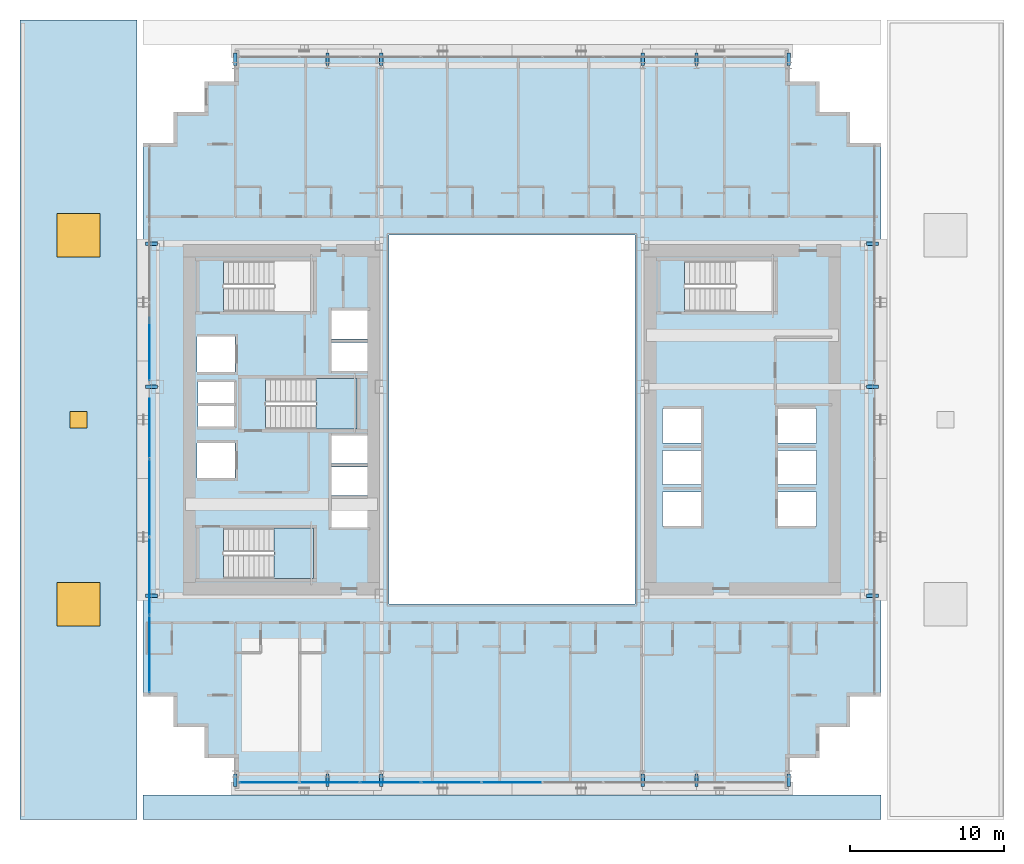
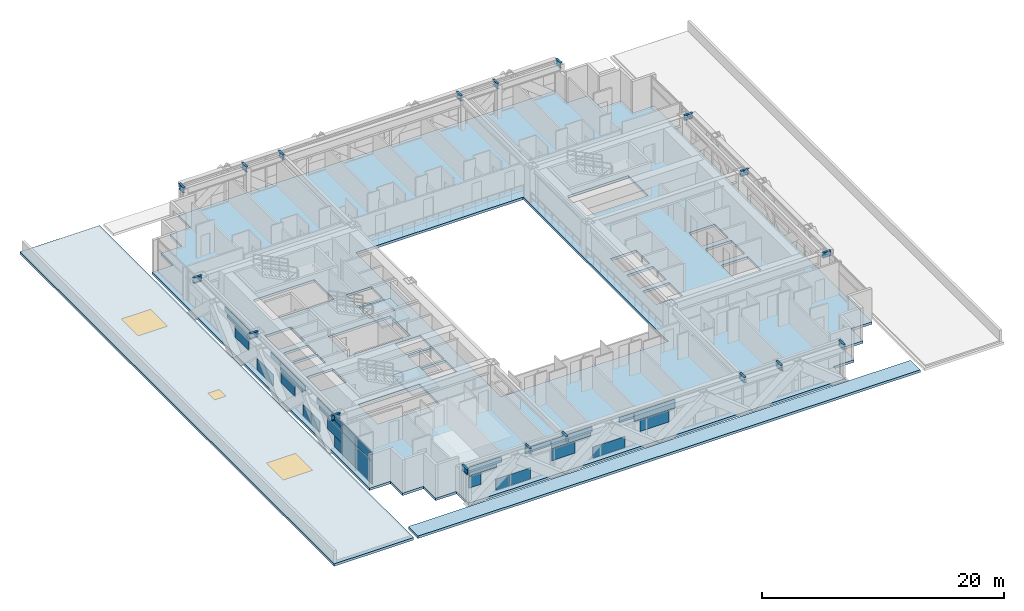
# One storey, part 21 of 35: 29 plates, 18 beams, 5 slabs, 2 windows, 1 door, 3 openings, 4 elements without a shape of their own.
"""IFC4 building model written with IfcOpenShell, lengths in metres."""

from ifc_helpers import new_model, si_unit, direction, frame, origin, origin_2d, place, context, subcontext, project, spatial, polyline, rectangle, i_section, outline, extrude, source, transform, mapped, material, layer, layer_set, material_profile, profile_set, type_object, element, fill, aggregate, save


model = new_model("IFC4")

# Units and contexts
model_context = context("Model", 3, precision=1e-05, world=origin(), true_north=direction((0.0, 1.0)))
body_context = subcontext(model_context, "Body", "Model", "MODEL_VIEW")
ifc_project = project(units=[si_unit("LENGTHUNIT", "METRE"), si_unit("AREAUNIT", "SQUARE_METRE"), si_unit("VOLUMEUNIT", "CUBIC_METRE"), si_unit("PLANEANGLEUNIT", "RADIAN"), si_unit("MASSUNIT", "GRAM", prefix="KILO")], contexts=[model_context])

# Site, building, storey
site_placement = place(None, origin())
site = spatial("IfcSite", under=ifc_project, at=site_placement, CompositionType="ELEMENT")
building_placement = place(site_placement, origin())
building = spatial("IfcBuilding", under=site, at=building_placement, Name="Ocotamira Hotel", CompositionType="ELEMENT")
storey_placement = place(building_placement, frame((0.0, 0.0, 34.800048828125)))
storey = spatial("IfcBuildingStorey", under=building, at=storey_placement, Name="L07", CompositionType="ELEMENT", Elevation=34.800048828125)

# Beams
ifc_material_1 = material(Name="Steel ASTM A992 Grade 50", Category="steel")
ifc_material_profile = material_profile(ifc_material_1, i_section(OverallWidth=0.2099609375, OverallDepth=0.537109375, WebThickness=0.010986328125, FlangeThickness=0.017333984375, FilletRadius=0.012939453125, at=origin_2d()), Name="W21X68")
ifc_profile_set = profile_set([ifc_material_profile], Name="Steel ASTM A992 Grade 50")
beam_type = type_object("IfcBeamType", Name="BM-SEC-W21X68", PredefinedType="JOIST", material=ifc_profile_set)
shared_shape_1 = source(origin(), body_context, "Body", "SweptSolid", [
    extrude(i_section(OverallWidth=0.2099609375, OverallDepth=0.537109375, WebThickness=0.010986328125, FlangeThickness=0.017333984375, FilletRadius=0.012939453125, at=origin_2d()), origin(), (0.0, 0.0, 1.0), 0.800048828125),
])
for number, where, z_axis, x_axis, name in (
    (1, (14.0, 2.949951171875, 3.08154296875), (0.0, -1.0, 0.0), (1.0, 0.0, 0.0), "L07 South Edge Header X14"),
    (2, (14.0, 49.050048828125, 3.08154296875), (0.0, 1.0, 0.0), (-1.0, 0.0, 0.0), "L07 North Edge Header X14"),
    (3, (20.0, 2.949951171875, 3.08154296875), (0.0, -1.0, 0.0), (1.0, 0.0, 0.0), "L07 South Edge Header X20"),
    (4, (20.0, 49.050048828125, 3.08154296875), (0.0, 1.0, 0.0), (-1.0, 0.0, 0.0), "L07 North Edge Header X20"),
    (5, (23.5, 2.949951171875, 3.08154296875), (0.0, -1.0, 0.0), (1.0, 0.0, 0.0), "L07 South Edge Header X23.5"),
    (6, (23.5, 49.050048828125, 3.08154296875), (0.0, 1.0, 0.0), (-1.0, 0.0, 0.0), "L07 North Edge Header X23.5"),
    (7, (40.5, 2.949951171875, 3.08154296875), (0.0, -1.0, 0.0), (1.0, 0.0, 0.0), "L07 South Edge Header X40.5"),
    (8, (40.5, 49.050048828125, 3.08154296875), (0.0, 1.0, 0.0), (-1.0, 0.0, 0.0), "L07 North Edge Header X40.5"),
    (9, (44.0, 2.949951171875, 3.08154296875), (0.0, -1.0, 0.0), (1.0, 0.0, 0.0), "L07 South Edge Header X44"),
    (10, (44.0, 49.050048828125, 3.08154296875), (0.0, 1.0, 0.0), (-1.0, 0.0, 0.0), "L07 North Edge Header X44"),
    (11, (50.0, 2.949951171875, 3.08154296875), (0.0, -1.0, 0.0), (1.0, 0.0, 0.0), "L07 South Edge Header X50"),
    (12, (50.0, 49.050048828125, 3.08154296875), (0.0, 1.0, 0.0), (-1.0, 0.0, 0.0), "L07 North Edge Header X50"),
    (13, (8.949951171875, 14.550048828125, 3.08154296875), (-1.0, 0.0, 0.0), (0.0, -1.0, 0.0), "L07 West Edge Header Y14.55"),
    (14, (55.050048828125, 14.550048828125, 3.08154296875), (1.0, 0.0, 0.0), (0.0, 1.0, 0.0), "L07 East Edge Header Y14.55"),
    (15, (8.949951171875, 28.14990234375, 3.08154296875), (-1.0, 0.0, 0.0), (0.0, -1.0, 0.0), "L07 West Edge Header Y28.15"),
    (16, (55.050048828125, 28.14990234375, 3.08154296875), (1.0, 0.0, 0.0), (0.0, 1.0, 0.0), "L07 East Edge Header Y28.15"),
    (17, (8.949951171875, 37.449951171875, 3.08154296875), (-1.0, 0.0, 0.0), (0.0, -1.0, 0.0), "L07 West Edge Header Y37.45"),
    (18, (55.050048828125, 37.449951171875, 3.08154296875), (1.0, 0.0, 0.0), (0.0, 1.0, 0.0), "L07 East Edge Header Y37.45"),
):
    element("IfcBeam", number, at=place(storey_placement, frame(where, z_axis=z_axis, x_axis=x_axis)), inside=storey, type_object=beam_type, Name=name, PredefinedType="JOIST", context=body_context, shape_type="MappedRepresentation", body=[
        mapped(shared_shape_1, transform((0.0, 0.0, 0.0), scale=1.0)),
    ])

# Stair, slab
ifc_material_2 = material(Name="Concrete C40/50", Category="concrete")
stair_type = type_object("IfcStairType", Name="ST-CORE-1560", PredefinedType="HALF_TURN_STAIR", material=ifc_material_2)
stair_1_placement = place(storey_placement, origin())
stair_1 = element("IfcStair", 19, at=stair_1_placement, inside=storey, type_object=stair_type, Name="L07 Exit Stair ST-1", PredefinedType="HALF_TURN_STAIR")
ifc_layer_1 = layer(ifc_material_2, 0.199951171875)
ifc_layer_set_1 = layer_set([ifc_layer_1], Name="Concrete C40/50")
slab_type_1 = type_object("IfcSlabType", Name="SLB-LAND-200", PredefinedType="LANDING", material=ifc_layer_set_1)
slab_1_placement = place(storey_placement, frame((0.0, 0.0, 1.599853515625)))
slab_1 = element("IfcSlab", 20, at=slab_1_placement, type_object=slab_type_1, Name="ST-1 landing 1", PredefinedType="LANDING", context=body_context, shape_type="SweptSolid", body=[
    extrude(outline(polyline([(16.530029296875, 15.669921875), (19.090087890625, 15.669921875), (19.090087890625, 18.949951171875), (16.530029296875, 18.949951171875), (16.530029296875, 15.669921875)])), origin(), (0.0, 0.0, 1.0), 0.2001953125),
])
aggregate(stair_1, [slab_1])

stair_2_placement = place(storey_placement, origin())
stair_2 = element("IfcStair", 21, at=stair_2_placement, inside=storey, type_object=stair_type, Name="L07 Exit Stair ST-3", PredefinedType="HALF_TURN_STAIR")
slab_2_placement = place(storey_placement, frame((0.0, 0.0, 1.599853515625)))
slab_2 = element("IfcSlab", 22, at=slab_2_placement, type_object=slab_type_1, Name="ST-3 landing 1", PredefinedType="LANDING", context=body_context, shape_type="SweptSolid", body=[
    extrude(outline(polyline([(19.260009765625, 25.39990234375), (21.919921875, 25.39990234375), (21.919921875, 28.679931640625), (19.260009765625, 28.679931640625), (19.260009765625, 25.39990234375)])), origin(), (0.0, 0.0, 1.0), 0.2001953125),
])
aggregate(stair_2, [slab_2])

# Slab, openings, door, windows
ifc_layer_2 = layer(ifc_material_2, 0.25)
ifc_layer_set_2 = layer_set([ifc_layer_2], Name="Concrete C40/50")
slab_type_2 = type_object("IfcSlabType", Name="SLB-ROOF-250", PredefinedType="ROOF", material=ifc_layer_set_2)
slab_3_placement = place(storey_placement, frame((0.0, 0.0, -0.25)))
slab_3 = element("IfcSlab", 23, at=slab_3_placement, inside=storey, type_object=slab_type_2, Name="L07 Podium Setback Roof POD-W", PredefinedType="ROOF", context=body_context, shape_type="SweptSolid", body=[
    extrude(outline(polyline([(0.0, 0.0), (7.60009765625, 0.0), (7.60009765625, 52.0), (0.0, 52.0), (0.0, 0.0)])), origin(), (0.0, 0.0, 1.0), 0.25),
])
opening_1_placement = place(slab_3_placement, frame((3.800048828125, 14.0, 0.0)))
opening_1 = element("IfcOpeningElement", 24, at=opening_1_placement, cuts=slab_3, Name="Opening SK-2", PredefinedType="OPENING", context=body_context, shape_type="SweptSolid", body=[
    extrude(rectangle(XDim=2.800048828125, YDim=2.800048828125, at=origin_2d()), frame((0.0, 0.0, -0.010009765625)), (0.0, 0.0, 1.0), 0.27001953125),
])
opening_2_placement = place(slab_3_placement, frame((3.800048828125, 38.0, 0.0)))
opening_2 = element("IfcOpeningElement", 25, at=opening_2_placement, cuts=slab_3, Name="Opening SK-2", PredefinedType="OPENING", context=body_context, shape_type="SweptSolid", body=[
    extrude(rectangle(XDim=2.800048828125, YDim=2.800048828125, at=origin_2d()), frame((0.0, 0.0, -0.010009765625)), (0.0, 0.0, 1.0), 0.27001953125),
])
opening_3_placement = place(slab_3_placement, frame((3.800048828125, 26.0, 0.0)))
opening_3 = element("IfcOpeningElement", 26, at=opening_3_placement, cuts=slab_3, Name="Opening RH-1", PredefinedType="OPENING", context=body_context, shape_type="SweptSolid", body=[
    extrude(rectangle(XDim=1.10009765625, YDim=1.10009765625, at=origin_2d()), frame((0.0, 0.0, -0.010009765625)), (0.0, 0.0, 1.0), 0.27001953125),
])
ifc_material_3 = material(Name="Insulated aluminium roof access hatch", Category="aluminium")
door_type = type_object("IfcDoorType", Name="DR-HATCH-1100", OperationType="NOTDEFINED", PredefinedType="TRAPDOOR", material=ifc_material_3)
door_placement = place(opening_3_placement, frame((0.0, 0.0, 0.199951171875)))
door = element("IfcDoor", 27, at=door_placement, inside=storey, type_object=door_type, Name="L07 Maintenance Roof Hatch PODW [RH-L07-PODW]", OperationType="SINGLE_SWING_LEFT", OverallHeight=1.10009765625, OverallWidth=1.10009765625, PredefinedType="TRAPDOOR", context=body_context, shape_type="SweptSolid", body=[
    extrude(rectangle(XDim=1.10009765625, YDim=1.10009765625, at=origin_2d()), origin(), (0.0, 0.0, 1.0), 0.050048828125),
])
fill(opening_3, door)
ifc_material_4 = material(Name="Laminated structural skylight glass", Category="glass")
window_type = type_object("IfcWindowType", Name="WIN-SKY-2800", PartitioningType="SINGLE_PANEL", PredefinedType="SKYLIGHT", material=ifc_material_4)
window_1_placement = place(opening_1_placement, frame((0.0, 0.0, 0.199951171875)))
window_1 = element("IfcWindow", 28, at=window_1_placement, inside=storey, type_object=window_type, Name="Podium Roof Skylight 1", OverallHeight=2.800048828125, OverallWidth=2.800048828125, PartitioningType="SINGLE_PANEL", PredefinedType="SKYLIGHT", context=body_context, shape_type="SweptSolid", body=[
    extrude(rectangle(XDim=2.800048828125, YDim=2.800048828125, at=origin_2d()), origin(), (0.0, 0.0, 1.0), 0.050048828125),
])
fill(opening_1, window_1)
window_2_placement = place(opening_2_placement, frame((0.0, 0.0, 0.199951171875)))
window_2 = element("IfcWindow", 29, at=window_2_placement, inside=storey, type_object=window_type, Name="Podium Roof Skylight 2", OverallHeight=2.800048828125, OverallWidth=2.800048828125, PartitioningType="SINGLE_PANEL", PredefinedType="SKYLIGHT", context=body_context, shape_type="SweptSolid", body=[
    extrude(rectangle(XDim=2.800048828125, YDim=2.800048828125, at=origin_2d()), origin(), (0.0, 0.0, 1.0), 0.050048828125),
])
fill(opening_2, window_2)

# Slabs
slab_4_placement = place(storey_placement, frame((0.0, 0.0, -0.25)))
element("IfcSlab", 30, at=slab_4_placement, inside=storey, type_object=slab_type_2, Name="L07 Podium Setback Roof POD-S", PredefinedType="ROOF", context=body_context, shape_type="SweptSolid", body=[
    extrude(outline(polyline([(8.0, 0.0), (56.0, 0.0), (56.0, 1.60009765625), (8.0, 1.60009765625), (8.0, 0.0)])), origin(), (0.0, 0.0, 1.0), 0.25),
])
ifc_layer_3 = layer(ifc_material_2, 0.25)
ifc_layer_set_3 = layer_set([ifc_layer_3], Name="Concrete C40/50")
slab_type_3 = type_object("IfcSlabType", Name="SLB-Z1-250", PredefinedType="FLOOR", material=ifc_layer_set_3)
slab_5_placement = place(storey_placement, frame((0.0, 0.0, -0.25)))
element("IfcSlab", 31, at=slab_5_placement, inside=storey, type_object=slab_type_3, Name="L07 Structural Floor Slab", PredefinedType="FLOOR", context=body_context, shape_type="SweptSolid", body=[
    extrude(outline(polyline([(14.0, 2.0), (50.0, 2.0), (50.0, 4.0), (52.0, 4.0), (52.0, 6.0), (54.0, 6.0), (54.0, 8.0), (56.0, 8.0), (56.0, 44.0), (54.0, 44.0), (54.0, 46.0), (52.0, 46.0), (52.0, 48.0), (50.0, 48.0), (50.0, 50.0), (14.0, 50.0), (14.0, 48.0), (12.0, 48.0), (12.0, 46.0), (10.0, 46.0), (10.0, 44.0), (8.0, 44.0), (8.0, 8.0), (10.0, 8.0), (10.0, 6.0), (12.0, 6.0), (12.0, 4.0), (14.0, 4.0), (14.0, 2.0)]), holes=[polyline([(24.0, 14.0), (40.0, 14.0), (40.0, 38.0), (24.0, 38.0), (24.0, 14.0)]), polyline([(13.22998046875, 15.669921875), (19.090087890625, 15.669921875), (19.090087890625, 18.949951171875), (13.22998046875, 18.949951171875), (13.22998046875, 15.669921875)]), polyline([(13.22998046875, 33.050048828125), (19.090087890625, 33.050048828125), (19.090087890625, 36.330078125), (13.22998046875, 36.330078125), (13.22998046875, 33.050048828125)]), polyline([(15.9599609375, 25.39990234375), (21.919921875, 25.39990234375), (21.919921875, 28.679931640625), (15.9599609375, 28.679931640625), (15.9599609375, 25.39990234375)]), polyline([(43.22998046875, 33.050048828125), (49.090087890625, 33.050048828125), (49.090087890625, 36.330078125), (43.22998046875, 36.330078125), (43.22998046875, 33.050048828125)]), polyline([(49.300048828125, 19.10009765625), (51.800048828125, 19.10009765625), (51.800048828125, 21.300048828125), (49.300048828125, 21.300048828125), (49.300048828125, 19.10009765625)]), polyline([(49.300048828125, 21.800048828125), (51.800048828125, 21.800048828125), (51.800048828125, 24.0), (49.300048828125, 24.0), (49.300048828125, 21.800048828125)]), polyline([(49.300048828125, 24.5), (51.800048828125, 24.5), (51.800048828125, 26.699951171875), (49.300048828125, 26.699951171875), (49.300048828125, 24.5)]), polyline([(41.800048828125, 19.10009765625), (44.300048828125, 19.10009765625), (44.300048828125, 21.300048828125), (41.800048828125, 21.300048828125), (41.800048828125, 19.10009765625)]), polyline([(41.800048828125, 21.800048828125), (44.300048828125, 21.800048828125), (44.300048828125, 24.0), (41.800048828125, 24.0), (41.800048828125, 21.800048828125)]), polyline([(41.800048828125, 24.5), (44.300048828125, 24.5), (44.300048828125, 26.699951171875), (41.800048828125, 26.699951171875), (41.800048828125, 24.5)]), polyline([(20.25, 19.0), (22.659912109375, 19.0), (22.659912109375, 20.85009765625), (20.25, 20.85009765625), (20.25, 19.0)]), polyline([(20.25, 21.080078125), (22.659912109375, 21.080078125), (22.659912109375, 22.929931640625), (20.25, 22.929931640625), (20.25, 21.080078125)]), polyline([(20.25, 23.159912109375), (22.659912109375, 23.159912109375), (22.659912109375, 24.9599609375), (20.25, 24.9599609375), (20.25, 23.159912109375)]), polyline([(20.25, 29.179931640625), (22.659912109375, 29.179931640625), (22.659912109375, 31.030029296875), (20.25, 31.030029296875), (20.25, 29.179931640625)]), polyline([(20.25, 31.260009765625), (22.659912109375, 31.260009765625), (22.659912109375, 33.110107421875), (20.25, 33.110107421875), (20.25, 31.260009765625)]), polyline([(11.5, 22.199951171875), (14.0, 22.199951171875), (14.0, 24.5), (11.5, 24.5), (11.5, 22.199951171875)]), polyline([(11.5, 29.10009765625), (14.0, 29.10009765625), (14.0, 31.39990234375), (11.5, 31.39990234375), (11.5, 29.10009765625)]), polyline([(11.580078125, 25.550048828125), (13.919921875, 25.550048828125), (13.919921875, 26.89990234375), (11.580078125, 26.89990234375), (11.580078125, 25.550048828125)]), polyline([(11.580078125, 27.10009765625), (13.919921875, 27.10009765625), (13.919921875, 28.449951171875), (11.580078125, 28.449951171875), (11.580078125, 27.10009765625)])]), origin(), (0.0, 0.0, 1.0), 0.25),
])

# Curtain wall, plates
ifc_material_5 = material(Name="Anodised pale-metal aluminium and solar glass", Category="aluminium")
ifc_layer_4 = layer(ifc_material_5, 0.179931640625)
ifc_layer_set_4 = layer_set([ifc_layer_4], Name="Anodised pale-metal aluminium and solar glass")
curtain_wall_type = type_object("IfcCurtainWallType", Name="CW-SYS2-Z1", PredefinedType="NOTDEFINED", material=ifc_layer_set_4)
curtain_wall_1_placement = place(storey_placement, origin())
curtain_wall_1 = element("IfcCurtainWall", 32, at=curtain_wall_1_placement, inside=storey, type_object=curtain_wall_type, Name="L07 Curtain Wall CW-2 CW-L07-S1", PredefinedType="NOTDEFINED")
ifc_material_6 = material(Name="Double-silver low-E insulated solar glass", Category="glass")
ifc_layer_5 = layer(ifc_material_6, 0.031982421875)
ifc_layer_set_5 = layer_set([ifc_layer_5], Name="Double-silver low-E insulated solar glass")
plate_type = type_object("IfcPlateType", Name="CWP-VISION-32", PredefinedType="CURTAIN_PANEL", material=ifc_layer_set_5)
shared_shape_2 = source(origin(), body_context, "Body", "SweptSolid", [
    extrude(rectangle(XDim=1.11669921875, YDim=0.031982421875, at=origin_2d()), origin(), (0.0, 0.0, 1.0), 1.11865234375),
])
plate_1_placement = place(storey_placement, frame((14.83837890625, 2.419921875, 1.193603515625), z_axis=(0.0, 0.0, 1.0), x_axis=(1.0, 0.0, 0.0)))
plate_1 = element("IfcPlate", 33, at=plate_1_placement, type_object=plate_type, Name="CW-2 panel 1.1.1", PredefinedType="CURTAIN_PANEL", context=body_context, shape_type="MappedRepresentation", body=[
    mapped(shared_shape_2, transform((0.0, 0.0, 0.0), scale=1.0)),
])
shared_shape_3 = source(origin(), body_context, "Body", "SweptSolid", [
    extrude(rectangle(XDim=1.278076171875, YDim=0.031982421875, at=origin_2d()), origin(), (0.0, 0.0, 1.0), 1.11865234375),
])
plate_2_placement = place(storey_placement, frame((17.4765625, 2.419921875, 0.074951171875), z_axis=(0.0, 0.0, 1.0), x_axis=(1.0, 0.0, 0.0)))
plate_2 = element("IfcPlate", 34, at=plate_2_placement, type_object=plate_type, Name="CW-2 panel 1.1.2", PredefinedType="CURTAIN_PANEL", context=body_context, shape_type="MappedRepresentation", body=[
    mapped(shared_shape_3, transform((0.0, 0.0, 0.0), scale=1.0)),
])
shared_shape_4 = source(origin(), body_context, "Body", "SweptSolid", [
    extrude(rectangle(XDim=2.60888671875, YDim=0.031982421875, at=origin_2d()), origin(), (0.0, 0.0, 1.0), 0.345458984375),
])
plate_3_placement = place(storey_placement, frame((15.58447265625, 2.419921875, 2.38720703125), z_axis=(0.0, 0.0, 1.0), x_axis=(1.0, 0.0, 0.0)))
plate_3 = element("IfcPlate", 35, at=plate_3_placement, type_object=plate_type, Name="CW-2 panel 1.2.1", PredefinedType="CURTAIN_PANEL", context=body_context, shape_type="MappedRepresentation", body=[
    mapped(shared_shape_4, transform((0.0, 0.0, 0.0), scale=1.0)),
])
shared_shape_5 = source(origin(), body_context, "Body", "SweptSolid", [
    extrude(rectangle(XDim=3.079833984375, YDim=0.031982421875, at=origin_2d()), origin(), (0.0, 0.0, 1.0), 0.5107421875),
])
plate_4_placement = place(storey_placement, frame((15.820068359375, 2.419921875, 2.76416015625), z_axis=(0.0, 0.0, 1.0), x_axis=(1.0, 0.0, 0.0)))
plate_4 = element("IfcPlate", 36, at=plate_4_placement, type_object=plate_type, Name="CW-2 panel 1.2.2", PredefinedType="CURTAIN_PANEL", context=body_context, shape_type="MappedRepresentation", body=[
    mapped(shared_shape_5, transform((0.0, 0.0, 0.0), scale=1.0)),
])
shared_shape_6 = source(origin(), body_context, "Body", "SweptSolid", [
    extrude(rectangle(XDim=1.966796875, YDim=0.031982421875, at=origin_2d()), origin(), (0.0, 0.0, 1.0), 1.11865234375),
])
plate_5_placement = place(storey_placement, frame((19.178955078125, 2.419921875, 0.074951171875), z_axis=(0.0, 0.0, 1.0), x_axis=(1.0, 0.0, 0.0)))
plate_5 = element("IfcPlate", 37, at=plate_5_placement, type_object=plate_type, Name="CW-2 panel 2.1.1", PredefinedType="CURTAIN_PANEL", context=body_context, shape_type="MappedRepresentation", body=[
    mapped(shared_shape_6, transform((0.0, 0.0, 0.0), scale=1.0)),
])
shared_shape_7 = source(origin(), body_context, "Body", "SweptSolid", [
    extrude(rectangle(XDim=2.430908203125, YDim=0.031982421875, at=origin_2d()), origin(), (0.0, 0.0, 1.0), 0.5107421875),
])
plate_6_placement = place(storey_placement, frame((20.855712890625, 2.419921875, 2.76416015625), z_axis=(0.0, 0.0, 1.0), x_axis=(1.0, 0.0, 0.0)))
plate_6 = element("IfcPlate", 38, at=plate_6_placement, type_object=plate_type, Name="CW-2 panel 2.2.1", PredefinedType="CURTAIN_PANEL", context=body_context, shape_type="MappedRepresentation", body=[
    mapped(shared_shape_7, transform((0.0, 0.0, 0.0), scale=1.0)),
])
shared_shape_8 = source(origin(), body_context, "Body", "SweptSolid", [
    extrude(rectangle(XDim=2.24560546875, YDim=0.031982421875, at=origin_2d()), origin(), (0.0, 0.0, 1.0), 1.11865234375),
])
plate_7_placement = place(storey_placement, frame((23.27392578125, 2.419921875, 1.193603515625), z_axis=(0.0, 0.0, 1.0), x_axis=(1.0, 0.0, 0.0)))
plate_7 = element("IfcPlate", 39, at=plate_7_placement, type_object=plate_type, Name="CW-2 panel 3.1.1", PredefinedType="CURTAIN_PANEL", context=body_context, shape_type="MappedRepresentation", body=[
    mapped(shared_shape_8, transform((0.0, 0.0, 0.0), scale=1.0)),
])
shared_shape_9 = source(origin(), body_context, "Body", "SweptSolid", [
    extrude(rectangle(XDim=3.73779296875, YDim=0.031982421875, at=origin_2d()), origin(), (0.0, 0.0, 1.0), 0.376708984375),
])
plate_8_placement = place(storey_placement, frame((24.02001953125, 2.419921875, 2.3876953125), z_axis=(0.0, 0.0, 1.0), x_axis=(1.0, 0.0, 0.0)))
plate_8 = element("IfcPlate", 40, at=plate_8_placement, type_object=plate_type, Name="CW-2 panel 3.2.1", PredefinedType="CURTAIN_PANEL", context=body_context, shape_type="MappedRepresentation", body=[
    mapped(shared_shape_9, transform((0.0, 0.0, 0.0), scale=1.0)),
])
shared_shape_10 = source(origin(), body_context, "Body", "SweptSolid", [
    extrude(rectangle(XDim=3.87548828125, YDim=0.031982421875, at=origin_2d()), origin(), (0.0, 0.0, 1.0), 0.5107421875),
])
plate_9_placement = place(storey_placement, frame((24.0888671875, 2.419921875, 2.76416015625), z_axis=(0.0, 0.0, 1.0), x_axis=(1.0, 0.0, 0.0)))
plate_9 = element("IfcPlate", 41, at=plate_9_placement, type_object=plate_type, Name="CW-2 panel 3.2.2", PredefinedType="CURTAIN_PANEL", context=body_context, shape_type="MappedRepresentation", body=[
    mapped(shared_shape_10, transform((0.0, 0.0, 0.0), scale=1.0)),
])
shared_shape_11 = source(origin(), body_context, "Body", "SweptSolid", [
    extrude(rectangle(XDim=3.055908203125, YDim=0.031982421875, at=origin_2d()), origin(), (0.0, 0.0, 1.0), 1.11865234375),
])
plate_10_placement = place(storey_placement, frame((27.634521484375, 2.419921875, 0.074951171875), z_axis=(0.0, 0.0, 1.0), x_axis=(1.0, 0.0, 0.0)))
plate_10 = element("IfcPlate", 42, at=plate_10_placement, type_object=plate_type, Name="CW-2 panel 4.1.1", PredefinedType="CURTAIN_PANEL", context=body_context, shape_type="MappedRepresentation", body=[
    mapped(shared_shape_11, transform((0.0, 0.0, 0.0), scale=1.0)),
])
shared_shape_12 = source(origin(), body_context, "Body", "SweptSolid", [
    extrude(rectangle(XDim=1.34228515625, YDim=0.031982421875, at=origin_2d()), origin(), (0.0, 0.0, 1.0), 0.5107421875),
])
plate_11_placement = place(storey_placement, frame((29.31103515625, 2.419921875, 2.76416015625), z_axis=(0.0, 0.0, 1.0), x_axis=(1.0, 0.0, 0.0)))
plate_11 = element("IfcPlate", 43, at=plate_11_placement, type_object=plate_type, Name="CW-2 panel 4.2.1", PredefinedType="CURTAIN_PANEL", context=body_context, shape_type="MappedRepresentation", body=[
    mapped(shared_shape_12, transform((0.0, 0.0, 0.0), scale=1.0)),
])
shared_shape_13 = source(origin(), body_context, "Body", "SweptSolid", [
    extrude(rectangle(XDim=2.793701171875, YDim=0.031982421875, at=origin_2d()), origin(), (0.0, 0.0, 1.0), 1.11865234375),
])
plate_12_placement = place(storey_placement, frame((32.0, 2.419921875, 1.193603515625), z_axis=(0.0, 0.0, 1.0), x_axis=(1.0, 0.0, 0.0)))
plate_12 = element("IfcPlate", 44, at=plate_12_placement, type_object=plate_type, Name="CW-2 panel 5.1.1", PredefinedType="CURTAIN_PANEL", context=body_context, shape_type="MappedRepresentation", body=[
    mapped(shared_shape_13, transform((0.0, 0.0, 0.0), scale=1.0)),
])
shared_shape_14 = source(origin(), body_context, "Body", "SweptSolid", [
    extrude(rectangle(XDim=3.87548828125, YDim=0.031982421875, at=origin_2d()), origin(), (0.0, 0.0, 1.0), 0.887451171875),
])
plate_13_placement = place(storey_placement, frame((32.0, 2.419921875, 2.3876953125), z_axis=(0.0, 0.0, 1.0), x_axis=(1.0, 0.0, 0.0)))
plate_13 = element("IfcPlate", 45, at=plate_13_placement, type_object=plate_type, Name="CW-2 panel 5.2", PredefinedType="CURTAIN_PANEL", context=body_context, shape_type="MappedRepresentation", body=[
    mapped(shared_shape_14, transform((0.0, 0.0, 0.0), scale=1.0)),
])
aggregate(curtain_wall_1, [plate_1, plate_2, plate_3, plate_4, plate_5, plate_6, plate_7, plate_8, plate_9, plate_10, plate_11, plate_12, plate_13])

curtain_wall_2_placement = place(storey_placement, origin())
curtain_wall_2 = element("IfcCurtainWall", 46, at=curtain_wall_2_placement, inside=storey, type_object=curtain_wall_type, Name="L07 Curtain Wall CW-2 CW-L07-W", PredefinedType="NOTDEFINED")
shared_shape_15 = source(origin(), body_context, "Body", "SweptSolid", [
    extrude(rectangle(XDim=4.9658203125, YDim=0.031982421875, at=origin_2d()), origin(), (0.0, 0.0, 1.0), 2.237548828125),
])
plate_14_placement = place(storey_placement, frame((8.419921875, 10.762939453125, 0.07470703125), z_axis=(0.0, 0.0, 1.0), x_axis=(0.0, 1.0, 0.0)))
plate_14 = element("IfcPlate", 47, at=plate_14_placement, type_object=plate_type, Name="CW-2 panel 1.1", PredefinedType="CURTAIN_PANEL", context=body_context, shape_type="MappedRepresentation", body=[
    mapped(shared_shape_15, transform((0.0, 0.0, 0.0), scale=1.0)),
])
shared_shape_16 = source(origin(), body_context, "Body", "SweptSolid", [
    extrude(rectangle(XDim=4.9658203125, YDim=0.031982421875, at=origin_2d()), origin(), (0.0, 0.0, 1.0), 0.887451171875),
])
plate_15_placement = place(storey_placement, frame((8.419921875, 10.762939453125, 2.3876953125), z_axis=(0.0, 0.0, 1.0), x_axis=(0.0, 1.0, 0.0)))
plate_15 = element("IfcPlate", 48, at=plate_15_placement, type_object=plate_type, Name="CW-2 panel 1.2", PredefinedType="CURTAIN_PANEL", context=body_context, shape_type="MappedRepresentation", body=[
    mapped(shared_shape_16, transform((0.0, 0.0, 0.0), scale=1.0)),
])
shared_shape_17 = source(origin(), body_context, "Body", "SweptSolid", [
    extrude(rectangle(XDim=1.177978515625, YDim=0.031982421875, at=origin_2d()), origin(), (0.0, 0.0, 1.0), 1.11865234375),
])
plate_16_placement = place(storey_placement, frame((8.419921875, 13.914794921875, 0.074951171875), z_axis=(0.0, 0.0, 1.0), x_axis=(0.0, 1.0, 0.0)))
plate_16 = element("IfcPlate", 49, at=plate_16_placement, type_object=plate_type, Name="CW-2 panel 2.1.1", PredefinedType="CURTAIN_PANEL", context=body_context, shape_type="MappedRepresentation", body=[
    mapped(shared_shape_17, transform((0.0, 0.0, 0.0), scale=1.0)),
])
shared_shape_18 = source(origin(), body_context, "Body", "SweptSolid", [
    extrude(rectangle(XDim=2.364013671875, YDim=0.031982421875, at=origin_2d()), origin(), (0.0, 0.0, 1.0), 1.11865234375),
])
plate_17_placement = place(storey_placement, frame((8.419921875, 14.5078125, 1.193603515625), z_axis=(0.0, 0.0, 1.0), x_axis=(0.0, 1.0, 0.0)))
plate_17 = element("IfcPlate", 50, at=plate_17_placement, type_object=plate_type, Name="CW-2 panel 2.1.2", PredefinedType="CURTAIN_PANEL", context=body_context, shape_type="MappedRepresentation", body=[
    mapped(shared_shape_18, transform((0.0, 0.0, 0.0), scale=1.0)),
])
shared_shape_19 = source(origin(), body_context, "Body", "SweptSolid", [
    extrude(rectangle(XDim=1.330078125, YDim=0.031982421875, at=origin_2d()), origin(), (0.0, 0.0, 1.0), 1.11865234375),
])
plate_18_placement = place(storey_placement, frame((8.419921875, 17.66650390625, 0.074951171875), z_axis=(0.0, 0.0, 1.0), x_axis=(0.0, 1.0, 0.0)))
plate_18 = element("IfcPlate", 51, at=plate_18_placement, type_object=plate_type, Name="CW-2 panel 2.1.3", PredefinedType="CURTAIN_PANEL", context=body_context, shape_type="MappedRepresentation", body=[
    mapped(shared_shape_19, transform((0.0, 0.0, 0.0), scale=1.0)),
])
shared_shape_20 = source(origin(), body_context, "Body", "SweptSolid", [
    extrude(rectangle(XDim=3.629638671875, YDim=0.031982421875, at=origin_2d()), origin(), (0.0, 0.0, 1.0), 0.367919921875),
])
plate_19_placement = place(storey_placement, frame((8.419921875, 15.140625, 2.3876953125), z_axis=(0.0, 0.0, 1.0), x_axis=(0.0, 1.0, 0.0)))
plate_19 = element("IfcPlate", 52, at=plate_19_placement, type_object=plate_type, Name="CW-2 panel 2.2.1", PredefinedType="CURTAIN_PANEL", context=body_context, shape_type="MappedRepresentation", body=[
    mapped(shared_shape_20, transform((0.0, 0.0, 0.0), scale=1.0)),
])
shared_shape_21 = source(origin(), body_context, "Body", "SweptSolid", [
    extrude(rectangle(XDim=4.05615234375, YDim=0.031982421875, at=origin_2d()), origin(), (0.0, 0.0, 1.0), 0.485107421875),
])
plate_20_placement = place(storey_placement, frame((8.419921875, 15.353759765625, 2.7900390625), z_axis=(0.0, 0.0, 1.0), x_axis=(0.0, 1.0, 0.0)))
plate_20 = element("IfcPlate", 53, at=plate_20_placement, type_object=plate_type, Name="CW-2 panel 2.2.2", PredefinedType="CURTAIN_PANEL", context=body_context, shape_type="MappedRepresentation", body=[
    mapped(shared_shape_21, transform((0.0, 0.0, 0.0), scale=1.0)),
])
shared_shape_22 = source(origin(), body_context, "Body", "SweptSolid", [
    extrude(rectangle(XDim=1.3203125, YDim=0.031982421875, at=origin_2d()), origin(), (0.0, 0.0, 1.0), 1.11865234375),
])
plate_21_placement = place(storey_placement, frame((8.419921875, 19.071533203125, 0.074951171875), z_axis=(0.0, 0.0, 1.0), x_axis=(0.0, 1.0, 0.0)))
plate_21 = element("IfcPlate", 54, at=plate_21_placement, type_object=plate_type, Name="CW-2 panel 3.1.1", PredefinedType="CURTAIN_PANEL", context=body_context, shape_type="MappedRepresentation", body=[
    mapped(shared_shape_22, transform((0.0, 0.0, 0.0), scale=1.0)),
])
shared_shape_23 = source(origin(), body_context, "Body", "SweptSolid", [
    extrude(rectangle(XDim=2.27978515625, YDim=0.031982421875, at=origin_2d()), origin(), (0.0, 0.0, 1.0), 1.11865234375),
])
plate_22_placement = place(storey_placement, frame((8.419921875, 22.183349609375, 1.193603515625), z_axis=(0.0, 0.0, 1.0), x_axis=(0.0, 1.0, 0.0)))
plate_22 = element("IfcPlate", 55, at=plate_22_placement, type_object=plate_type, Name="CW-2 panel 3.1.2", PredefinedType="CURTAIN_PANEL", context=body_context, shape_type="MappedRepresentation", body=[
    mapped(shared_shape_23, transform((0.0, 0.0, 0.0), scale=1.0)),
])
plate_23_placement = place(storey_placement, frame((8.419921875, 29.816650390625, 1.193603515625), z_axis=(0.0, 0.0, 1.0), x_axis=(0.0, 1.0, 0.0)))
plate_23 = element("IfcPlate", 56, at=plate_23_placement, type_object=plate_type, Name="CW-2 panel 5.1.1", PredefinedType="CURTAIN_PANEL", context=body_context, shape_type="MappedRepresentation", body=[
    mapped(shared_shape_23, transform((0.0, 0.0, 0.0), scale=1.0)),
])
shared_shape_24 = source(origin(), body_context, "Body", "SweptSolid", [
    extrude(rectangle(XDim=4.06591796875, YDim=0.031982421875, at=origin_2d()), origin(), (0.0, 0.0, 1.0), 0.485107421875),
])
plate_24_placement = place(storey_placement, frame((8.419921875, 21.38427734375, 2.7900390625), z_axis=(0.0, 0.0, 1.0), x_axis=(0.0, 1.0, 0.0)))
plate_24 = element("IfcPlate", 57, at=plate_24_placement, type_object=plate_type, Name="CW-2 panel 3.2.1", PredefinedType="CURTAIN_PANEL", context=body_context, shape_type="MappedRepresentation", body=[
    mapped(shared_shape_24, transform((0.0, 0.0, 0.0), scale=1.0)),
])
plate_25_placement = place(storey_placement, frame((8.419921875, 30.61572265625, 2.7900390625), z_axis=(0.0, 0.0, 1.0), x_axis=(0.0, 1.0, 0.0)))
plate_25 = element("IfcPlate", 58, at=plate_25_placement, type_object=plate_type, Name="CW-2 panel 5.2.2", PredefinedType="CURTAIN_PANEL", context=body_context, shape_type="MappedRepresentation", body=[
    mapped(shared_shape_24, transform((0.0, 0.0, 0.0), scale=1.0)),
])
shared_shape_25 = source(origin(), body_context, "Body", "SweptSolid", [
    extrude(rectangle(XDim=3.639404296875, YDim=0.031982421875, at=origin_2d()), origin(), (0.0, 0.0, 1.0), 0.367919921875),
])
plate_26_placement = place(storey_placement, frame((8.419921875, 21.597412109375, 2.3876953125), z_axis=(0.0, 0.0, 1.0), x_axis=(0.0, 1.0, 0.0)))
plate_26 = element("IfcPlate", 59, at=plate_26_placement, type_object=plate_type, Name="CW-2 panel 3.2.2", PredefinedType="CURTAIN_PANEL", context=body_context, shape_type="MappedRepresentation", body=[
    mapped(shared_shape_25, transform((0.0, 0.0, 0.0), scale=1.0)),
])
plate_27_placement = place(storey_placement, frame((8.419921875, 30.402587890625, 2.3876953125), z_axis=(0.0, 0.0, 1.0), x_axis=(0.0, 1.0, 0.0)))
plate_27 = element("IfcPlate", 60, at=plate_27_placement, type_object=plate_type, Name="CW-2 panel 5.2.1", PredefinedType="CURTAIN_PANEL", context=body_context, shape_type="MappedRepresentation", body=[
    mapped(shared_shape_25, transform((0.0, 0.0, 0.0), scale=1.0)),
])
shared_shape_26 = source(origin(), body_context, "Body", "SweptSolid", [
    extrude(rectangle(XDim=2.730224609375, YDim=0.031982421875, at=origin_2d()), origin(), (0.0, 0.0, 1.0), 1.11865234375),
])
plate_28_placement = place(storey_placement, frame((8.419921875, 26.0, 0.074951171875), z_axis=(0.0, 0.0, 1.0), x_axis=(0.0, 1.0, 0.0)))
plate_28 = element("IfcPlate", 61, at=plate_28_placement, type_object=plate_type, Name="CW-2 panel 4.1.1", PredefinedType="CURTAIN_PANEL", context=body_context, shape_type="MappedRepresentation", body=[
    mapped(shared_shape_26, transform((0.0, 0.0, 0.0), scale=1.0)),
])
shared_shape_27 = source(origin(), body_context, "Body", "SweptSolid", [
    extrude(rectangle(XDim=1.518310546875, YDim=0.031982421875, at=origin_2d()), origin(), (0.0, 0.0, 1.0), 0.485107421875),
])
plate_29_placement = place(storey_placement, frame((8.419921875, 24.256103515625, 2.7900390625), z_axis=(0.0, 0.0, 1.0), x_axis=(0.0, 1.0, 0.0)))
plate_29 = element("IfcPlate", 62, at=plate_29_placement, type_object=plate_type, Name="CW-2 panel 4.2.1", PredefinedType="CURTAIN_PANEL", context=body_context, shape_type="MappedRepresentation", body=[
    mapped(shared_shape_27, transform((0.0, 0.0, 0.0), scale=1.0)),
])
aggregate(curtain_wall_2, [plate_14, plate_15, plate_16, plate_17, plate_18, plate_19, plate_20, plate_21, plate_22, plate_24, plate_26, plate_28, plate_29, plate_23, plate_27, plate_25])

save(model, "model.ifc")
